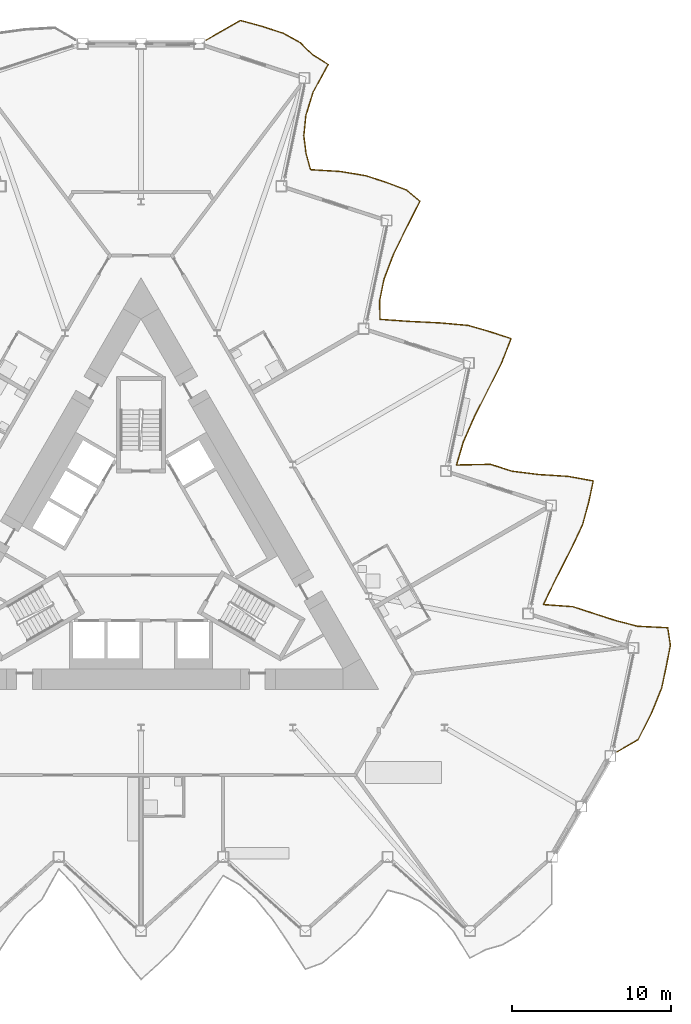
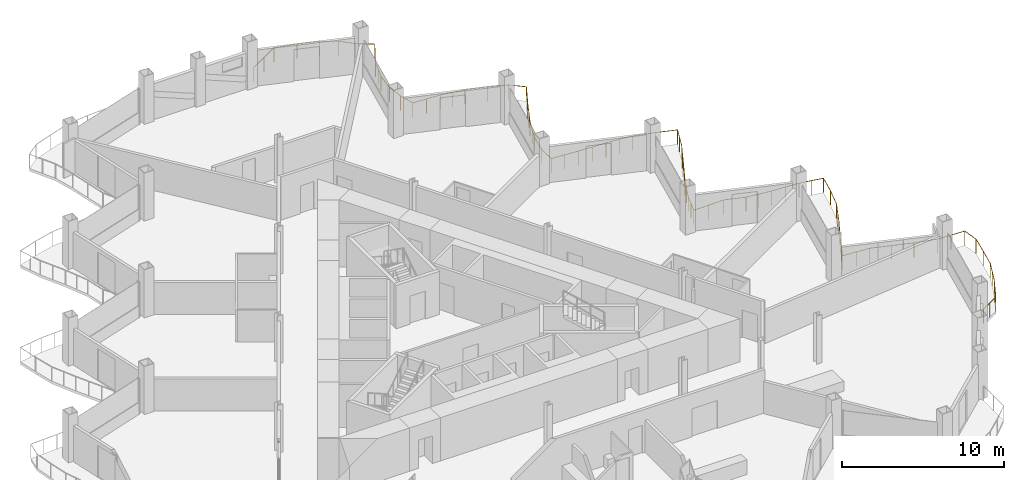
# One storey, part 22 of 24: 1 railing.
"""IFC4 building model written with IfcOpenShell, lengths in metres."""

from ifc_helpers import new_model, si_unit, direction, frame, origin, origin_2d, place, context, subcontext, project, spatial, circle, extrude, material, type_object, element, save


model = new_model("IFC4")

# Units and contexts
model_context = context("Model", 3, precision=1e-05, world=origin(), true_north=direction((0.0, 1.0)))
body_context = subcontext(model_context, "Body", "Model", "MODEL_VIEW")
ifc_project = project(units=[si_unit("LENGTHUNIT", "METRE"), si_unit("AREAUNIT", "SQUARE_METRE"), si_unit("VOLUMEUNIT", "CUBIC_METRE"), si_unit("PLANEANGLEUNIT", "RADIAN"), si_unit("MASSUNIT", "GRAM", prefix="KILO")], contexts=[model_context])

# Site, building, storey
site_placement = place(None, origin())
site = spatial("IfcSite", under=ifc_project, at=site_placement, CompositionType="ELEMENT")
building_placement = place(site_placement, origin())
building = spatial("IfcBuilding", under=site, at=building_placement, Name="Cormorant Prow Tower", CompositionType="ELEMENT")
storey_placement = place(building_placement, frame((0.0, 0.0, 274.199951171875)))
storey = spatial("IfcBuildingStorey", under=building, at=storey_placement, Name="L62", CompositionType="ELEMENT", Elevation=274.199951171875)

# Railing
ifc_material = material(Name="Aluminium 6063-T6", Category="aluminium")
railing_type = type_object("IfcRailingType", Name="Balcony guard 1100", PredefinedType="GUARDRAIL", material=ifc_material)
railing_placement = place(storey_placement, frame((30.046630859375, -12.58935546875, 0.0)))
element("IfcRailing", 1, at=railing_placement, inside=storey, type_object=railing_type, Name="Balcony guard ENE", PredefinedType="GUARDRAIL", context=body_context, shape_type="SweptSolid", body=[
    extrude(circle(Radius=0.02392578125, at=origin_2d()), frame((0.0, 0.0, 1.076171875), z_axis=(0.866030456496, 0.499991248344, 0.0), x_axis=(-0.499991248344, 0.866030456496, 0.0)), (0.0, 0.0, 1.0), 1.52001953125),
    extrude(circle(Radius=0.02392578125, at=origin_2d()), frame((1.31640625, 0.760009765625, 1.076171875), z_axis=(0.451024999431, 0.892511316392, 0.0), x_axis=(-0.892511316392, 0.451024999431, 0.0)), (0.0, 0.0, 1.0), 1.89404296875),
    extrude(circle(Radius=0.02392578125, at=origin_2d()), frame((2.170654296875, 2.450439453125, 1.076171875), z_axis=(0.376346021681, 0.926479180535, 0.0), x_axis=(-0.926479180535, 0.376346021681, 0.0)), (0.0, 0.0, 1.0), 1.688720703125),
    extrude(circle(Radius=0.02392578125, at=origin_2d()), frame((2.80615234375, 4.014892578125, 1.076171875), z_axis=(0.207844108816, 0.978161963292, 0.0), x_axis=(-0.978161963292, 0.207844108816, 0.0)), (0.0, 0.0, 1.0), 1.3955078125),
    extrude(circle(Radius=0.02392578125, at=origin_2d()), frame((3.09619140625, 5.3798828125, 1.076171875), z_axis=(0.190027433762, 0.981778780794, 0.0), x_axis=(-0.981778780794, 0.190027433762, 0.0)), (0.0, 0.0, 1.0), 1.37353515625),
    extrude(circle(Radius=0.02392578125, at=origin_2d()), frame((3.357177734375, 6.728271484375, 1.076171875), z_axis=(-0.149980753791, 0.98868891644, 0.0), x_axis=(-0.98868891644, -0.149980753791, 0.0)), (0.0, 0.0, 1.0), 1.113525390625),
    extrude(circle(Radius=0.02392578125, at=origin_2d()), frame((3.190185546875, 7.8291015625, 1.076171875), z_axis=(-0.998738278626, 0.050218032689, 0.0), x_axis=(-0.050218032689, -0.998738278626, 0.0)), (0.0, 0.0, 1.0), 1.91064453125),
    extrude(circle(Radius=0.02392578125, at=origin_2d()), frame((1.281982421875, 7.925048828125, 1.076171875), z_axis=(-0.967692726207, 0.252132480346, 0.0), x_axis=(-0.252132480346, -0.967692726207, 0.0)), (0.0, 0.0, 1.0), 1.4765625),
    extrude(circle(Radius=0.02392578125, at=origin_2d()), frame((-0.14697265625, 8.29736328125, 1.076171875), z_axis=(-0.951070062621, 0.308975299961, 0.0), x_axis=(-0.308975299961, -0.951070062621, 0.0)), (0.0, 0.0, 1.0), 1.3955078125),
    extrude(circle(Radius=0.02392578125, at=origin_2d()), frame((-1.47412109375, 8.728515625, 1.076171875), z_axis=(-0.951035354166, 0.309082117125, 0.0), x_axis=(-0.309082117125, -0.951035354166, 0.0)), (0.0, 0.0, 1.0), 1.395751953125),
    extrude(circle(Radius=0.02392578125, at=origin_2d()), frame((-2.801513671875, 9.159912109375, 1.076171875), z_axis=(-0.997478747507, 0.070965824671, 0.0), x_axis=(-0.070965824671, -0.997478747507, 0.0)), (0.0, 0.0, 1.0), 1.850830078125),
    extrude(circle(Radius=0.02392578125, at=origin_2d()), frame((-4.647705078125, 9.291259765625, 1.076171875), z_axis=(0.432972845595, 0.901406964127, 0.0), x_axis=(-0.901406964127, 0.432972845595, 0.0)), (0.0, 0.0, 1.0), 1.838134765625),
    extrude(circle(Radius=0.02392578125, at=origin_2d()), frame((-3.851806640625, 10.9482421875, 1.076171875), z_axis=(0.457281759661, 0.889321872148, 0.0), x_axis=(-0.889321872148, 0.457281759661, 0.0)), (0.0, 0.0, 1.0), 1.9150390625),
    extrude(circle(Radius=0.02392578125, at=origin_2d()), frame((-2.97607421875, 12.6513671875, 1.076171875), z_axis=(0.429274822442, 0.903173918366, 0.0), x_axis=(-0.903173918366, 0.429274822442, 0.0)), (0.0, 0.0, 1.0), 1.827392578125),
    extrude(circle(Radius=0.02392578125, at=origin_2d()), frame((-2.191650390625, 14.3017578125, 1.076171875), z_axis=(0.265870752912, 0.964008683958, 0.0), x_axis=(-0.964008683958, 0.265870752912, 0.0)), (0.0, 0.0, 1.0), 1.4775390625),
    extrude(circle(Radius=0.02392578125, at=origin_2d()), frame((-1.798828125, 15.72607421875, 1.076171875), z_axis=(0.207844108816, 0.978161963292, 0.0), x_axis=(-0.978161963292, 0.207844108816, 0.0)), (0.0, 0.0, 1.0), 1.3955078125),
    extrude(circle(Radius=0.02392578125, at=origin_2d()), frame((-1.5087890625, 17.091064453125, 1.076171875), z_axis=(-0.983742826583, 0.179582992362, 0.0), x_axis=(-0.179582992362, -0.983742826583, 0.0)), (0.0, 0.0, 1.0), 1.6015625),
    extrude(circle(Radius=0.02392578125, at=origin_2d()), frame((-3.084228515625, 17.378662109375, 1.076171875), z_axis=(-0.998027667687, 0.06277558865, 0.0), x_axis=(-0.06277558865, -0.998027667687, 0.0)), (0.0, 0.0, 1.0), 1.87451171875),
    extrude(circle(Radius=0.02392578125, at=origin_2d()), frame((-4.955078125, 17.496337890625, 1.076171875), z_axis=(-0.992253804212, 0.124227162997, 0.0), x_axis=(-0.124227162997, -0.992253804212, 0.0)), (0.0, 0.0, 1.0), 1.717529296875),
    extrude(circle(Radius=0.02392578125, at=origin_2d()), frame((-6.659423828125, 17.709716796875, 1.076171875), z_axis=(-0.951070062621, 0.308975299961, 0.0), x_axis=(-0.308975299961, -0.951070062621, 0.0)), (0.0, 0.0, 1.0), 1.3955078125),
    extrude(circle(Radius=0.02392578125, at=origin_2d()), frame((-7.986572265625, 18.140869140625, 1.076171875), z_axis=(-0.999795630795, -0.020216246993, 0.0), x_axis=(0.020216246993, -0.999795630795, 0.0)), (0.0, 0.0, 1.0), 2.149658203125),
    extrude(circle(Radius=0.02392578125, at=origin_2d()), frame((-10.1357421875, 18.097412109375, 1.076171875), z_axis=(0.284314471626, 0.958731078679, 0.0), x_axis=(-0.958731078679, 0.284314471626, 0.0)), (0.0, 0.0, 1.0), 1.507080078125),
    extrude(circle(Radius=0.02392578125, at=origin_2d()), frame((-9.707275390625, 19.542236328125, 1.076171875), z_axis=(0.402192314467, 0.915555209795, 0.0), x_axis=(-0.915555209795, 0.402192314467, 0.0)), (0.0, 0.0, 1.0), 1.75244140625),
    extrude(circle(Radius=0.02392578125, at=origin_2d()), frame((-9.00244140625, 21.146728515625, 1.076171875), z_axis=(0.452552432626, 0.891737795388, 0.0), x_axis=(-0.891737795388, 0.452552432626, 0.0)), (0.0, 0.0, 1.0), 1.8994140625),
    extrude(circle(Radius=0.02392578125, at=origin_2d()), frame((-8.142822265625, 22.840576171875, 1.076171875), z_axis=(0.449074611591, 0.89349426032, 0.0), x_axis=(-0.89349426032, 0.449074611591, 0.0)), (0.0, 0.0, 1.0), 1.88818359375),
    extrude(circle(Radius=0.02392578125, at=origin_2d()), frame((-7.294921875, 24.527587890625, 1.076171875), z_axis=(0.362560008596, 0.931960428434, 0.0), x_axis=(-0.931960428434, 0.362560008596, 0.0)), (0.0, 0.0, 1.0), 1.6572265625),
    extrude(circle(Radius=0.02392578125, at=origin_2d()), frame((-6.694091796875, 26.072021484375, 1.076171875), z_axis=(-0.951070062621, 0.308975299961, 0.0), x_axis=(-0.308975299961, -0.951070062621, 0.0)), (0.0, 0.0, 1.0), 1.3955078125),
    extrude(circle(Radius=0.02392578125, at=origin_2d()), frame((-8.021240234375, 26.503173828125, 1.076171875), z_axis=(-0.960413687955, 0.278577723425, 0.0), x_axis=(-0.278577723425, -0.960413687955, 0.0)), (0.0, 0.0, 1.0), 1.437255859375),
    extrude(circle(Radius=0.02392578125, at=origin_2d()), frame((-9.401611328125, 26.903564453125, 1.076171875), z_axis=(-0.996079530076, 0.088462250498, 0.0), x_axis=(-0.088462250498, -0.996079530076, 0.0)), (0.0, 0.0, 1.0), 1.804931640625),
    extrude(circle(Radius=0.02392578125, at=origin_2d()), frame((-11.199462890625, 27.063232421875, 1.076171875), z_axis=(-0.998786156667, 0.049256606168, 0.0), x_axis=(-0.049256606168, -0.998786156667, 0.0)), (0.0, 0.0, 1.0), 1.913330078125),
    extrude(circle(Radius=0.02392578125, at=origin_2d()), frame((-13.1103515625, 27.157470703125, 1.076171875), z_axis=(-0.997624100724, 0.068892333787, 0.0), x_axis=(-0.068892333787, -0.997624100724, 0.0)), (0.0, 0.0, 1.0), 1.85693359375),
    extrude(circle(Radius=0.02392578125, at=origin_2d()), frame((-14.962890625, 27.285400390625, 1.076171875), z_axis=(-0.019794017655, 0.99980407924, 0.0), x_axis=(-0.99980407924, -0.019794017655, 0.0)), (0.0, 0.0, 1.0), 1.18408203125),
    extrude(circle(Radius=0.02392578125, at=origin_2d()), frame((-14.986328125, 28.46923828125, 1.076171875), z_axis=(0.202099562441, 0.979364981435, 0.0), x_axis=(-0.979364981435, 0.202099562441, 0.0)), (0.0, 0.0, 1.0), 1.387939453125),
    extrude(circle(Radius=0.02392578125, at=origin_2d()), frame((-14.705810546875, 29.82861328125, 1.076171875), z_axis=(0.356859384014, 0.934158112977, 0.0), x_axis=(-0.934158112977, 0.356859384014, 0.0)), (0.0, 0.0, 1.0), 1.644775390625),
    extrude(circle(Radius=0.02392578125, at=origin_2d()), frame((-14.118896484375, 31.364990234375, 1.076171875), z_axis=(0.436351272563, 0.899776398297, 0.0), x_axis=(-0.899776398297, 0.436351272563, 0.0)), (0.0, 0.0, 1.0), 1.8486328125),
    extrude(circle(Radius=0.02392578125, at=origin_2d()), frame((-13.312255859375, 33.0283203125, 1.076171875), z_axis=(0.457082879064, 0.889424106749, 0.0), x_axis=(-0.889424106749, 0.457082879064, 0.0)), (0.0, 0.0, 1.0), 1.914306640625),
    extrude(circle(Radius=0.02392578125, at=origin_2d()), frame((-12.437255859375, 34.73095703125, 1.076171875), z_axis=(-0.765839980517, 0.643031200053, 0.0), x_axis=(-0.643031200053, -0.765839980517, 0.0)), (0.0, 0.0, 1.0), 1.103271484375),
    extrude(circle(Radius=0.02392578125, at=origin_2d()), frame((-13.2822265625, 35.4404296875, 1.076171875), z_axis=(-0.934874406595, 0.354978652729, 0.0), x_axis=(-0.354978652729, -0.934874406595, 0.0)), (0.0, 0.0, 1.0), 1.33837890625),
    extrude(circle(Radius=0.02392578125, at=origin_2d()), frame((-14.533447265625, 35.91552734375, 1.076171875), z_axis=(-0.951086760919, 0.308923895491, 0.0), x_axis=(-0.308923895491, -0.951086760919, 0.0)), (0.0, 0.0, 1.0), 1.395751953125),
    extrude(circle(Radius=0.02392578125, at=origin_2d()), frame((-15.86083984375, 36.3466796875, 1.076171875), z_axis=(-0.98629664185, 0.16498161799, 0.0), x_axis=(-0.16498161799, -0.98629664185, 0.0)), (0.0, 0.0, 1.0), 1.630859375),
    extrude(circle(Radius=0.02392578125, at=origin_2d()), frame((-17.46923828125, 36.61572265625, 1.076171875), z_axis=(-0.998202052098, 0.059938828707, 0.0), x_axis=(-0.059938828707, -0.998202052098, 0.0)), (0.0, 0.0, 1.0), 1.8818359375),
    extrude(circle(Radius=0.02392578125, at=origin_2d()), frame((-19.34765625, 36.728515625, 1.076171875), z_axis=(-0.264658839828, 0.964342106568, 0.0), x_axis=(-0.964342106568, -0.264658839828, 0.0)), (0.0, 0.0, 1.0), 1.072021484375),
    extrude(circle(Radius=0.02392578125, at=origin_2d()), frame((-19.63134765625, 37.76220703125, 1.076171875), z_axis=(-0.122700558253, 0.992443737954, 0.0), x_axis=(-0.992443737954, -0.122700558253, 0.0)), (0.0, 0.0, 1.0), 1.126220703125),
    extrude(circle(Radius=0.02392578125, at=origin_2d()), frame((-19.76953125, 38.8798828125, 1.076171875), z_axis=(0.103861376062, 0.994591782875, 0.0), x_axis=(-0.994591782875, 0.103861376062, 0.0)), (0.0, 0.0, 1.0), 1.281005859375),
    extrude(circle(Radius=0.02392578125, at=origin_2d()), frame((-19.636474609375, 40.154052734375, 1.076171875), z_axis=(0.295019338677, 0.95549128191, 0.0), x_axis=(-0.95549128191, 0.295019338677, 0.0)), (0.0, 0.0, 1.0), 1.525146484375),
    extrude(circle(Radius=0.02392578125, at=origin_2d()), frame((-19.1865234375, 41.611328125, 1.076171875), z_axis=(0.478671672802, 0.877993980422, 0.0), x_axis=(-0.877993980422, 0.478671672802, 0.0)), (0.0, 0.0, 1.0), 1.99072265625),
    extrude(circle(Radius=0.02392578125, at=origin_2d()), frame((-18.233642578125, 43.359130859375, 1.076171875), z_axis=(-0.843248495511, 0.537523929531, 0.0), x_axis=(-0.537523929531, -0.843248495511, 0.0)), (0.0, 0.0, 1.0), 1.169189453125),
    extrude(circle(Radius=0.02392578125, at=origin_2d()), frame((-19.219482421875, 43.987548828125, 1.076171875), z_axis=(-0.719775647165, 0.694206754323, 0.0), x_axis=(-0.694206754323, -0.719775647165, 0.0)), (0.0, 0.0, 1.0), 1.078857421875),
    extrude(circle(Radius=0.02392578125, at=origin_2d()), frame((-19.99609375, 44.736572265625, 1.076171875), z_axis=(-0.871380638872, 0.490607564351, 0.0), x_axis=(-0.490607564351, -0.871380638872, 0.0)), (0.0, 0.0, 1.0), 1.204833984375),
    extrude(circle(Radius=0.02392578125, at=origin_2d()), frame((-21.0458984375, 45.32763671875, 1.076171875), z_axis=(-0.951018639663, 0.309133542363, 0.0), x_axis=(-0.309133542363, -0.951018639663, 0.0)), (0.0, 0.0, 1.0), 1.3955078125),
    extrude(circle(Radius=0.02392578125, at=origin_2d()), frame((-22.373046875, 45.759033203125, 1.076171875), z_axis=(-0.964376412333, 0.26453380755, 0.0), x_axis=(-0.26453380755, -0.964376412333, 0.0)), (0.0, 0.0, 1.0), 1.458251953125),
    extrude(circle(Radius=0.02392578125, at=origin_2d()), frame((-23.779296875, 46.144775390625, 1.076171875), z_axis=(-0.866010089634, -0.500026523948, 0.0), x_axis=(0.500026523948, -0.866010089634, 0.0)), (0.0, 0.0, 1.0), 2.478759765625),
    extrude(circle(Radius=0.02099609375, at=origin_2d()), origin(), (0.0, 0.0, 1.0), 1.052001953125),
    extrude(circle(Radius=0.02099609375, at=origin_2d()), frame((0.658203125, 0.3798828125, 0.0)), (0.0, 0.0, 1.0), 1.052001953125),
    extrude(circle(Radius=0.02099609375, at=origin_2d()), frame((1.31640625, 0.760009765625, 0.0)), (0.0, 0.0, 1.0), 1.052001953125),
    extrude(circle(Radius=0.02099609375, at=origin_2d()), frame((1.74365234375, 1.605224609375, 0.0)), (0.0, 0.0, 1.0), 1.052001953125),
    extrude(circle(Radius=0.02099609375, at=origin_2d()), frame((2.170654296875, 2.450439453125, 0.0)), (0.0, 0.0, 1.0), 1.052001953125),
    extrude(circle(Radius=0.02099609375, at=origin_2d()), frame((2.48828125, 3.232666015625, 0.0)), (0.0, 0.0, 1.0), 1.052001953125),
    extrude(circle(Radius=0.02099609375, at=origin_2d()), frame((2.80615234375, 4.014892578125, 0.0)), (0.0, 0.0, 1.0), 1.052001953125),
    extrude(circle(Radius=0.02099609375, at=origin_2d()), frame((3.09619140625, 5.3798828125, 0.0)), (0.0, 0.0, 1.0), 1.052001953125),
    extrude(circle(Radius=0.02099609375, at=origin_2d()), frame((3.357177734375, 6.728271484375, 0.0)), (0.0, 0.0, 1.0), 1.052001953125),
    extrude(circle(Radius=0.02099609375, at=origin_2d()), frame((3.190185546875, 7.8291015625, 0.0)), (0.0, 0.0, 1.0), 1.052001953125),
    extrude(circle(Radius=0.02099609375, at=origin_2d()), frame((2.236083984375, 7.876953125, 0.0)), (0.0, 0.0, 1.0), 1.052001953125),
    extrude(circle(Radius=0.02099609375, at=origin_2d()), frame((1.281982421875, 7.925048828125, 0.0)), (0.0, 0.0, 1.0), 1.052001953125),
    extrude(circle(Radius=0.02099609375, at=origin_2d()), frame((-0.14697265625, 8.29736328125, 0.0)), (0.0, 0.0, 1.0), 1.052001953125),
    extrude(circle(Radius=0.02099609375, at=origin_2d()), frame((-1.47412109375, 8.728515625, 0.0)), (0.0, 0.0, 1.0), 1.052001953125),
    extrude(circle(Radius=0.02099609375, at=origin_2d()), frame((-2.801513671875, 9.159912109375, 0.0)), (0.0, 0.0, 1.0), 1.052001953125),
    extrude(circle(Radius=0.02099609375, at=origin_2d()), frame((-3.724609375, 9.2255859375, 0.0)), (0.0, 0.0, 1.0), 1.052001953125),
    extrude(circle(Radius=0.02099609375, at=origin_2d()), frame((-4.647705078125, 9.291259765625, 0.0)), (0.0, 0.0, 1.0), 1.052001953125),
    extrude(circle(Radius=0.02099609375, at=origin_2d()), frame((-4.249755859375, 10.11962890625, 0.0)), (0.0, 0.0, 1.0), 1.052001953125),
    extrude(circle(Radius=0.02099609375, at=origin_2d()), frame((-3.851806640625, 10.9482421875, 0.0)), (0.0, 0.0, 1.0), 1.052001953125),
    extrude(circle(Radius=0.02099609375, at=origin_2d()), frame((-3.4140625, 11.7998046875, 0.0)), (0.0, 0.0, 1.0), 1.052001953125),
    extrude(circle(Radius=0.02099609375, at=origin_2d()), frame((-2.97607421875, 12.6513671875, 0.0)), (0.0, 0.0, 1.0), 1.052001953125),
    extrude(circle(Radius=0.02099609375, at=origin_2d()), frame((-2.583984375, 13.4765625, 0.0)), (0.0, 0.0, 1.0), 1.052001953125),
    extrude(circle(Radius=0.02099609375, at=origin_2d()), frame((-2.191650390625, 14.3017578125, 0.0)), (0.0, 0.0, 1.0), 1.052001953125),
    extrude(circle(Radius=0.02099609375, at=origin_2d()), frame((-1.798828125, 15.72607421875, 0.0)), (0.0, 0.0, 1.0), 1.052001953125),
    extrude(circle(Radius=0.02099609375, at=origin_2d()), frame((-1.5087890625, 17.091064453125, 0.0)), (0.0, 0.0, 1.0), 1.052001953125),
    extrude(circle(Radius=0.02099609375, at=origin_2d()), frame((-2.29638671875, 17.23486328125, 0.0)), (0.0, 0.0, 1.0), 1.052001953125),
    extrude(circle(Radius=0.02099609375, at=origin_2d()), frame((-3.084228515625, 17.378662109375, 0.0)), (0.0, 0.0, 1.0), 1.052001953125),
    extrude(circle(Radius=0.02099609375, at=origin_2d()), frame((-4.01953125, 17.4375, 0.0)), (0.0, 0.0, 1.0), 1.052001953125),
    extrude(circle(Radius=0.02099609375, at=origin_2d()), frame((-4.955078125, 17.496337890625, 0.0)), (0.0, 0.0, 1.0), 1.052001953125),
    extrude(circle(Radius=0.02099609375, at=origin_2d()), frame((-5.80712890625, 17.60302734375, 0.0)), (0.0, 0.0, 1.0), 1.052001953125),
    extrude(circle(Radius=0.02099609375, at=origin_2d()), frame((-6.659423828125, 17.709716796875, 0.0)), (0.0, 0.0, 1.0), 1.052001953125),
    extrude(circle(Radius=0.02099609375, at=origin_2d()), frame((-7.986572265625, 18.140869140625, 0.0)), (0.0, 0.0, 1.0), 1.052001953125),
    extrude(circle(Radius=0.02099609375, at=origin_2d()), frame((-9.06103515625, 18.119140625, 0.0)), (0.0, 0.0, 1.0), 1.052001953125),
    extrude(circle(Radius=0.02099609375, at=origin_2d()), frame((-10.1357421875, 18.097412109375, 0.0)), (0.0, 0.0, 1.0), 1.052001953125),
    extrude(circle(Radius=0.02099609375, at=origin_2d()), frame((-9.92138671875, 18.81982421875, 0.0)), (0.0, 0.0, 1.0), 1.052001953125),
    extrude(circle(Radius=0.02099609375, at=origin_2d()), frame((-9.707275390625, 19.542236328125, 0.0)), (0.0, 0.0, 1.0), 1.052001953125),
    extrude(circle(Radius=0.02099609375, at=origin_2d()), frame((-9.35498046875, 20.344482421875, 0.0)), (0.0, 0.0, 1.0), 1.052001953125),
    extrude(circle(Radius=0.02099609375, at=origin_2d()), frame((-9.00244140625, 21.146728515625, 0.0)), (0.0, 0.0, 1.0), 1.052001953125),
    extrude(circle(Radius=0.02099609375, at=origin_2d()), frame((-8.57275390625, 21.99365234375, 0.0)), (0.0, 0.0, 1.0), 1.052001953125),
    extrude(circle(Radius=0.02099609375, at=origin_2d()), frame((-8.142822265625, 22.840576171875, 0.0)), (0.0, 0.0, 1.0), 1.052001953125),
    extrude(circle(Radius=0.02099609375, at=origin_2d()), frame((-7.71875, 23.68408203125, 0.0)), (0.0, 0.0, 1.0), 1.052001953125),
    extrude(circle(Radius=0.02099609375, at=origin_2d()), frame((-7.294921875, 24.527587890625, 0.0)), (0.0, 0.0, 1.0), 1.052001953125),
    extrude(circle(Radius=0.02099609375, at=origin_2d()), frame((-6.99462890625, 25.2998046875, 0.0)), (0.0, 0.0, 1.0), 1.052001953125),
    extrude(circle(Radius=0.02099609375, at=origin_2d()), frame((-6.694091796875, 26.072021484375, 0.0)), (0.0, 0.0, 1.0), 1.052001953125),
    extrude(circle(Radius=0.02099609375, at=origin_2d()), frame((-8.021240234375, 26.503173828125, 0.0)), (0.0, 0.0, 1.0), 1.052001953125),
    extrude(circle(Radius=0.02099609375, at=origin_2d()), frame((-9.401611328125, 26.903564453125, 0.0)), (0.0, 0.0, 1.0), 1.052001953125),
    extrude(circle(Radius=0.02099609375, at=origin_2d()), frame((-10.300537109375, 26.9833984375, 0.0)), (0.0, 0.0, 1.0), 1.052001953125),
    extrude(circle(Radius=0.02099609375, at=origin_2d()), frame((-11.199462890625, 27.063232421875, 0.0)), (0.0, 0.0, 1.0), 1.052001953125),
    extrude(circle(Radius=0.02099609375, at=origin_2d()), frame((-12.15478515625, 27.1103515625, 0.0)), (0.0, 0.0, 1.0), 1.052001953125),
    extrude(circle(Radius=0.02099609375, at=origin_2d()), frame((-13.1103515625, 27.157470703125, 0.0)), (0.0, 0.0, 1.0), 1.052001953125),
    extrude(circle(Radius=0.02099609375, at=origin_2d()), frame((-14.03662109375, 27.221435546875, 0.0)), (0.0, 0.0, 1.0), 1.052001953125),
    extrude(circle(Radius=0.02099609375, at=origin_2d()), frame((-14.962890625, 27.285400390625, 0.0)), (0.0, 0.0, 1.0), 1.052001953125),
    extrude(circle(Radius=0.02099609375, at=origin_2d()), frame((-14.986328125, 28.46923828125, 0.0)), (0.0, 0.0, 1.0), 1.052001953125),
    extrude(circle(Radius=0.02099609375, at=origin_2d()), frame((-14.705810546875, 29.82861328125, 0.0)), (0.0, 0.0, 1.0), 1.052001953125),
    extrude(circle(Radius=0.02099609375, at=origin_2d()), frame((-14.412353515625, 30.5966796875, 0.0)), (0.0, 0.0, 1.0), 1.052001953125),
    extrude(circle(Radius=0.02099609375, at=origin_2d()), frame((-14.118896484375, 31.364990234375, 0.0)), (0.0, 0.0, 1.0), 1.052001953125),
    extrude(circle(Radius=0.02099609375, at=origin_2d()), frame((-13.715576171875, 32.19677734375, 0.0)), (0.0, 0.0, 1.0), 1.052001953125),
    extrude(circle(Radius=0.02099609375, at=origin_2d()), frame((-13.312255859375, 33.0283203125, 0.0)), (0.0, 0.0, 1.0), 1.052001953125),
    extrude(circle(Radius=0.02099609375, at=origin_2d()), frame((-12.874755859375, 33.879638671875, 0.0)), (0.0, 0.0, 1.0), 1.052001953125),
    extrude(circle(Radius=0.02099609375, at=origin_2d()), frame((-12.437255859375, 34.73095703125, 0.0)), (0.0, 0.0, 1.0), 1.052001953125),
    extrude(circle(Radius=0.02099609375, at=origin_2d()), frame((-13.2822265625, 35.4404296875, 0.0)), (0.0, 0.0, 1.0), 1.052001953125),
    extrude(circle(Radius=0.02099609375, at=origin_2d()), frame((-14.533447265625, 35.91552734375, 0.0)), (0.0, 0.0, 1.0), 1.052001953125),
    extrude(circle(Radius=0.02099609375, at=origin_2d()), frame((-15.86083984375, 36.3466796875, 0.0)), (0.0, 0.0, 1.0), 1.052001953125),
    extrude(circle(Radius=0.02099609375, at=origin_2d()), frame((-16.6650390625, 36.481201171875, 0.0)), (0.0, 0.0, 1.0), 1.052001953125),
    extrude(circle(Radius=0.02099609375, at=origin_2d()), frame((-17.46923828125, 36.61572265625, 0.0)), (0.0, 0.0, 1.0), 1.052001953125),
    extrude(circle(Radius=0.02099609375, at=origin_2d()), frame((-18.408447265625, 36.672119140625, 0.0)), (0.0, 0.0, 1.0), 1.052001953125),
    extrude(circle(Radius=0.02099609375, at=origin_2d()), frame((-19.34765625, 36.728515625, 0.0)), (0.0, 0.0, 1.0), 1.052001953125),
    extrude(circle(Radius=0.02099609375, at=origin_2d()), frame((-19.63134765625, 37.76220703125, 0.0)), (0.0, 0.0, 1.0), 1.052001953125),
    extrude(circle(Radius=0.02099609375, at=origin_2d()), frame((-19.76953125, 38.8798828125, 0.0)), (0.0, 0.0, 1.0), 1.052001953125),
    extrude(circle(Radius=0.02099609375, at=origin_2d()), frame((-19.636474609375, 40.154052734375, 0.0)), (0.0, 0.0, 1.0), 1.052001953125),
    extrude(circle(Radius=0.02099609375, at=origin_2d()), frame((-19.41162109375, 40.8828125, 0.0)), (0.0, 0.0, 1.0), 1.052001953125),
    extrude(circle(Radius=0.02099609375, at=origin_2d()), frame((-19.1865234375, 41.611328125, 0.0)), (0.0, 0.0, 1.0), 1.052001953125),
    extrude(circle(Radius=0.02099609375, at=origin_2d()), frame((-18.7099609375, 42.4853515625, 0.0)), (0.0, 0.0, 1.0), 1.052001953125),
    extrude(circle(Radius=0.02099609375, at=origin_2d()), frame((-18.233642578125, 43.359130859375, 0.0)), (0.0, 0.0, 1.0), 1.052001953125),
    extrude(circle(Radius=0.02099609375, at=origin_2d()), frame((-19.219482421875, 43.987548828125, 0.0)), (0.0, 0.0, 1.0), 1.052001953125),
    extrude(circle(Radius=0.02099609375, at=origin_2d()), frame((-19.99609375, 44.736572265625, 0.0)), (0.0, 0.0, 1.0), 1.052001953125),
    extrude(circle(Radius=0.02099609375, at=origin_2d()), frame((-21.0458984375, 45.32763671875, 0.0)), (0.0, 0.0, 1.0), 1.052001953125),
    extrude(circle(Radius=0.02099609375, at=origin_2d()), frame((-22.373046875, 45.759033203125, 0.0)), (0.0, 0.0, 1.0), 1.052001953125),
    extrude(circle(Radius=0.02099609375, at=origin_2d()), frame((-23.779296875, 46.144775390625, 0.0)), (0.0, 0.0, 1.0), 1.052001953125),
    extrude(circle(Radius=0.02099609375, at=origin_2d()), frame((-24.8525390625, 45.52490234375, 0.0)), (0.0, 0.0, 1.0), 1.052001953125),
    extrude(circle(Radius=0.02099609375, at=origin_2d()), frame((-25.926025390625, 44.9052734375, 0.0)), (0.0, 0.0, 1.0), 1.052001953125),
])

save(model, "model.ifc")
